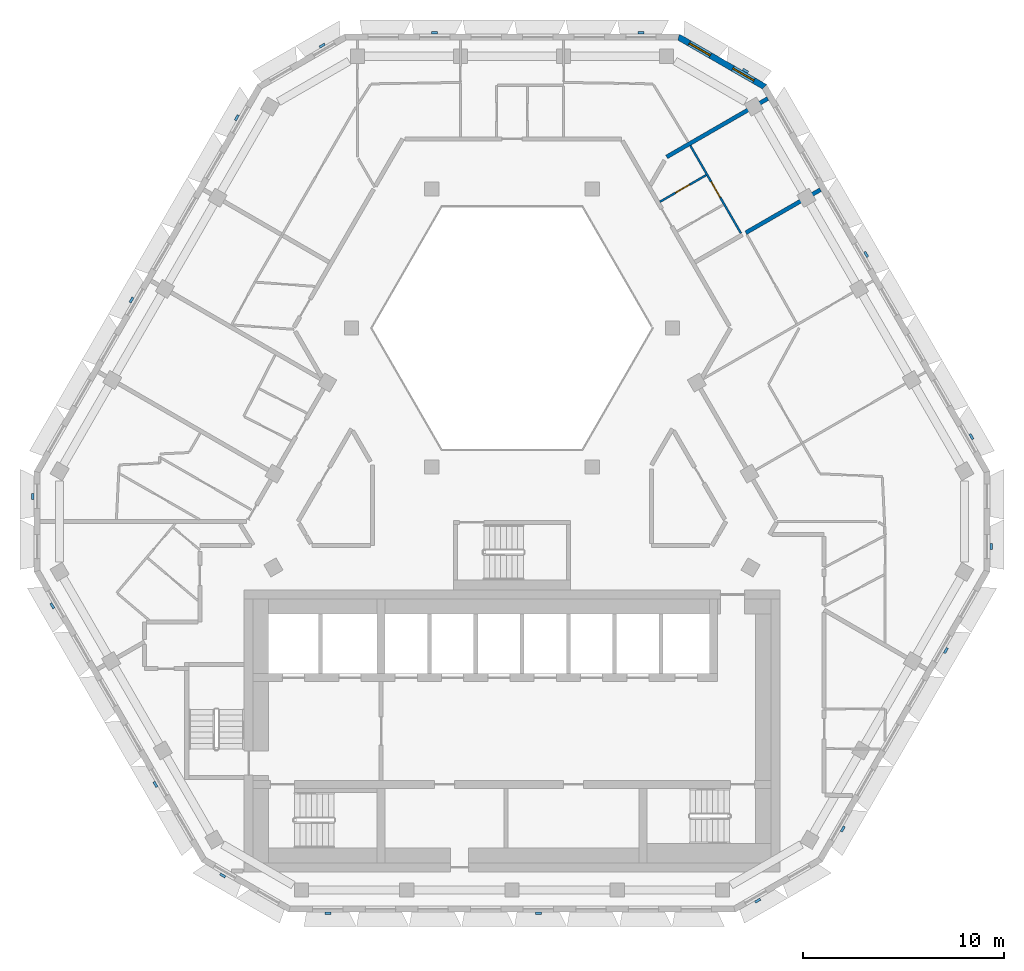
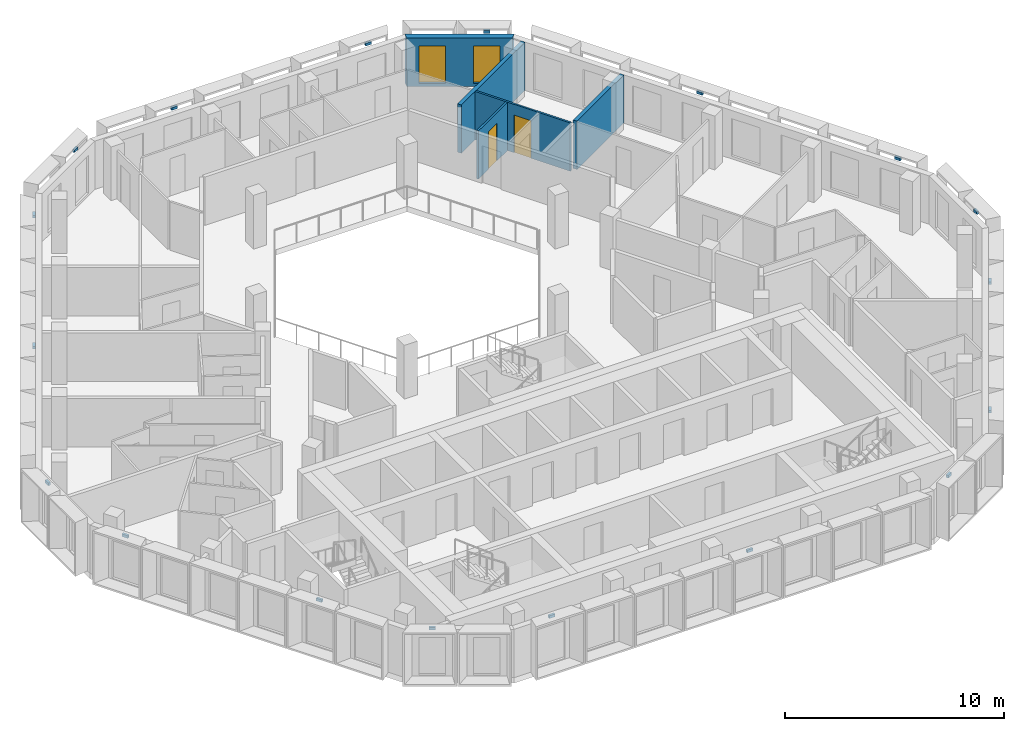
# One storey, part 9 of 16: 18 discrete accessories, 5 walls, 2 doors, 2 windows, 4 openings.
"""IFC4 building model written with IfcOpenShell, lengths in metres."""

from ifc_helpers import new_model, si_unit, direction, frame, frame_2d, origin, place, context, subcontext, project, spatial, polyline, rectangle, outline, extrude, source, transform, mapped, material, layer, layer_set, type_object, type_shapes, element, fill, save


model = new_model("IFC4")

# Units and contexts
model_context = context("Model", 3, precision=1e-05, world=origin(), true_north=direction((0.0, 1.0)))
body_context = subcontext(model_context, "Body", "Model", "MODEL_VIEW")
ifc_project = project(units=[si_unit("LENGTHUNIT", "METRE"), si_unit("AREAUNIT", "SQUARE_METRE"), si_unit("VOLUMEUNIT", "CUBIC_METRE"), si_unit("PLANEANGLEUNIT", "RADIAN"), si_unit("MASSUNIT", "GRAM", prefix="KILO")], contexts=[model_context])

# Site, building, storey
site_placement = place(None, origin())
site = spatial("IfcSite", under=ifc_project, at=site_placement, CompositionType="ELEMENT")
building_placement = place(site_placement, origin())
building = spatial("IfcBuilding", under=site, at=building_placement, Name="Beryl Residences", CompositionType="ELEMENT")
storey_placement = place(building_placement, frame((0.0, 0.0, 214.800048828125)))
storey = spatial("IfcBuildingStorey", under=building, at=storey_placement, Name="L66", CompositionType="ELEMENT", Elevation=214.800048828125)

# Wall, openings, windows
ifc_material_1 = material(Name="Composite metal panel with mineral wool insulation")
ifc_layer_1 = layer(ifc_material_1, 0.300048828125)
ifc_layer_set_1 = layer_set([ifc_layer_1], Name="ES1 pale metal composite panel wall 300 mm")
wall_type_1 = type_object("IfcWallType", Name="ES1 pale metal composite panel wall 300 mm", PredefinedType="SOLIDWALL", material=ifc_layer_set_1)
wall_1_placement = place(storey_placement, frame((12.569091796875, 19.969970703125, 0.0), z_axis=(0.0, 0.0, 1.0), x_axis=(-0.866022959057, 0.500004234368, 0.0)))
wall_1 = element("IfcWall", 1, at=wall_1_placement, inside=storey, type_object=wall_type_1, Name="ES1 external wall L66 NE-N", PredefinedType="SOLIDWALL", context=body_context, shape_type="SweptSolid", body=[
    extrude(outline(polyline([(0.0, -0.14990234375), (5.0, -0.14990234375), (4.919677734375, 0.14990234375), (0.080322265625, 0.14990234375), (0.0, -0.14990234375)])), origin(), (0.0, 0.0, 1.0), 2.699951171875),
])
opening_1_placement = place(wall_1_placement, frame((0.64990234375, 0.0, 0.14990234375)))
opening_1 = element("IfcOpeningElement", 2, at=opening_1_placement, cuts=wall_1, Name="Opening W2", PredefinedType="OPENING", context=body_context, shape_type="SweptSolid", body=[
    extrude(rectangle(XDim=1.199951171875, YDim=2.10009765625, at=frame_2d((0.60009765625, 1.050048828125))), frame((0.0, 0.159912109375, 0.0), z_axis=(0.0, -1.0, 0.0), x_axis=(1.0, 0.0, 0.0)), (0.0, 0.0, 1.0), 0.320068359375),
])
opening_2_placement = place(wall_1_placement, frame((3.14990234375, 0.0, 0.14990234375)))
opening_2 = element("IfcOpeningElement", 3, at=opening_2_placement, cuts=wall_1, Name="Opening W2", PredefinedType="OPENING", context=body_context, shape_type="SweptSolid", body=[
    extrude(rectangle(XDim=1.199951171875, YDim=2.10009765625, at=frame_2d((0.60009765625, 1.050048828125))), frame((0.0, 0.159912109375, 0.0), z_axis=(0.0, -1.0, 0.0), x_axis=(1.0, 0.0, 0.0)), (0.0, 0.0, 1.0), 0.320068359375),
])
ifc_material_2 = material(Name="Aluminium and clear glass", Category="aluminium")
window_type = type_object("IfcWindowType", Name="W2 chamfer window 1200 x 2100 mm", PartitioningType="SINGLE_PANEL", PredefinedType="WINDOW", material=ifc_material_2)
window_1_placement = place(opening_1_placement, origin())
window_1 = element("IfcWindow", 4, at=window_1_placement, inside=storey, type_object=window_type, Name="W2 window L66 NE-N 1", OverallHeight=2.10009765625, OverallWidth=1.199951171875, PartitioningType="SINGLE_PANEL", PredefinedType="WINDOW", context=body_context, shape_type="SweptSolid", body=[
    extrude(rectangle(XDim=1.199951171875, YDim=2.10009765625, at=frame_2d((0.60009765625, 1.050048828125))), frame((0.0, 0.030029296875, 0.0), z_axis=(0.0, -1.0, 0.0), x_axis=(1.0, 0.0, 0.0)), (0.0, 0.0, 1.0), 0.06005859375),
])
fill(opening_1, window_1)
window_2_placement = place(opening_2_placement, origin())
window_2 = element("IfcWindow", 5, at=window_2_placement, inside=storey, type_object=window_type, Name="W2 window L66 NE-N 2", OverallHeight=2.10009765625, OverallWidth=1.199951171875, PartitioningType="SINGLE_PANEL", PredefinedType="WINDOW", context=body_context, shape_type="SweptSolid", body=[
    extrude(rectangle(XDim=1.199951171875, YDim=2.10009765625, at=frame_2d((0.60009765625, 1.050048828125))), frame((0.0, 0.030029296875, 0.0), z_axis=(0.0, -1.0, 0.0), x_axis=(1.0, 0.0, 0.0)), (0.0, 0.0, 1.0), 0.06005859375),
])
fill(opening_2, window_2)

# Wall, opening, door
ifc_material_3 = material(Name="Gypsum board partition on steel studs", Category="steel")
ifc_layer_2 = layer(ifc_material_3, 0.10009765625)
ifc_layer_set_2 = layer_set([ifc_layer_2], Name="PT1 partition 100 mm gypsum board on steel studs")
wall_type_2 = type_object("IfcWallType", Name="PT1 partition 100 mm gypsum board on steel studs", PredefinedType="PARTITIONING", material=ifc_layer_set_2)
wall_2_placement = place(storey_placement, frame((8.85400390625, 17.06396484375, 0.0), z_axis=(0.0, 0.0, 1.0), x_axis=(0.500042049778, -0.866001124973, 0.0)))
wall_2 = element("IfcWall", 6, at=wall_2_placement, inside=storey, type_object=wall_type_2, Name="Wall PT1 L66 006", PredefinedType="PARTITIONING", context=body_context, shape_type="SweptSolid", body=[
    extrude(rectangle(XDim=5.025390625, YDim=0.10009765625, at=frame_2d((2.5126953125, 0.0))), origin(), (0.0, 0.0, 1.0), 2.699951171875),
])
opening_3_placement = place(wall_2_placement, frame((2.06298828125, 0.0, 0.0)))
opening_3 = element("IfcOpeningElement", 7, at=opening_3_placement, cuts=wall_2, Name="Opening D1841", PredefinedType="OPENING", context=body_context, shape_type="SweptSolid", body=[
    extrude(rectangle(XDim=0.89990234375, YDim=2.10009765625, at=frame_2d((0.449951171875, 1.050048828125))), frame((0.0, 0.06005859375, 0.0), z_axis=(0.0, -1.0, 0.0), x_axis=(1.0, 0.0, 0.0)), (0.0, 0.0, 1.0), 0.1201171875),
])
ifc_material_4 = material(Name="Timber door leaf", Category="wood")
door_type_1 = type_object("IfcDoorType", Name="D2 room door 900 x 2100 mm", OperationType="SINGLE_SWING_LEFT", PredefinedType="DOOR", material=ifc_material_4)
door_1_placement = place(opening_3_placement, origin())
door_1 = element("IfcDoor", 8, at=door_1_placement, inside=storey, type_object=door_type_1, Name="Door D1841 L66 001", OperationType="SINGLE_SWING_LEFT", OverallHeight=2.10009765625, OverallWidth=0.89990234375, PredefinedType="DOOR", context=body_context, shape_type="SweptSolid", body=[
    extrude(rectangle(XDim=0.89990234375, YDim=2.10009765625, at=frame_2d((0.449951171875, 1.050048828125))), frame((0.0, 0.02490234375, 0.0), z_axis=(0.0, -1.0, 0.0), x_axis=(1.0, 0.0, 0.0)), (0.0, 0.0, 1.0), 0.050048828125),
])
fill(opening_3, door_1)

wall_3_placement = place(storey_placement, frame((7.346923828125, 14.27392578125, 0.0), z_axis=(0.0, 0.0, 1.0), x_axis=(0.86601223543, 0.500022807565, 0.0)))
wall_3 = element("IfcWall", 9, at=wall_3_placement, inside=storey, type_object=wall_type_2, Name="Wall PT1 L66 050", PredefinedType="PARTITIONING", context=body_context, shape_type="SweptSolid", body=[
    extrude(rectangle(XDim=2.650390625, YDim=0.10009765625, at=frame_2d((1.3251953125, 0.0))), origin(), (0.0, 0.0, 1.0), 2.699951171875),
])
opening_4_placement = place(wall_3_placement, frame((0.89990234375, 0.0, 0.0)))
opening_4 = element("IfcOpeningElement", 10, at=opening_4_placement, cuts=wall_3, Name="Opening D1839", PredefinedType="OPENING", context=body_context, shape_type="SweptSolid", body=[
    extrude(rectangle(XDim=0.800048828125, YDim=2.10009765625, at=frame_2d((0.39990234375, 1.050048828125))), frame((0.0, 0.06005859375, 0.0), z_axis=(0.0, -1.0, 0.0), x_axis=(1.0, 0.0, 0.0)), (0.0, 0.0, 1.0), 0.1201171875),
])
ifc_material_5 = material(Name="Timber door leaf", Category="wood")
door_type_2 = type_object("IfcDoorType", Name="D3 bathroom door 800 x 2100 mm", OperationType="SINGLE_SWING_LEFT", PredefinedType="DOOR", material=ifc_material_5)
door_2_placement = place(opening_4_placement, origin())
door_2 = element("IfcDoor", 11, at=door_2_placement, inside=storey, type_object=door_type_2, Name="Door D1839 L66 001", OperationType="SINGLE_SWING_LEFT", OverallHeight=2.10009765625, OverallWidth=0.800048828125, PredefinedType="DOOR", context=body_context, shape_type="SweptSolid", body=[
    extrude(rectangle(XDim=0.800048828125, YDim=2.10009765625, at=frame_2d((0.39990234375, 1.050048828125))), frame((0.0, 0.02490234375, 0.0), z_axis=(0.0, -1.0, 0.0), x_axis=(1.0, 0.0, 0.0)), (0.0, 0.0, 1.0), 0.050048828125),
])
fill(opening_4, door_2)

# Walls
ifc_material_6 = material(Name="Acoustic double stud gypsum board wall")
ifc_layer_3 = layer(ifc_material_6, 0.199951171875)
ifc_layer_set_3 = layer_set([ifc_layer_3], Name="PT3 party wall 200 mm acoustic double stud")
wall_type_3 = type_object("IfcWallType", Name="PT3 party wall 200 mm acoustic double stud", PredefinedType="PARTITIONING", material=ifc_layer_set_3)
wall_4_placement = place(storey_placement, frame((11.611083984375, 12.737060546875, 0.0), z_axis=(0.0, 0.0, 1.0), x_axis=(0.866017282483, 0.500014066243, 0.0)))
element("IfcWall", 12, at=wall_4_placement, inside=storey, type_object=wall_type_3, Name="Wall PT3 L66 011", PredefinedType="PARTITIONING", context=body_context, shape_type="SweptSolid", body=[
    extrude(rectangle(XDim=4.27587890625, YDim=0.199951171875, at=frame_2d((2.137939453125, 0.0))), origin(), (0.0, 0.0, 1.0), 2.699951171875),
])
wall_5_placement = place(storey_placement, frame((7.679931640625, 16.5009765625, 0.0), z_axis=(0.0, 0.0, 1.0), x_axis=(0.86602149507, 0.500006770031, 0.0)))
element("IfcWall", 13, at=wall_5_placement, inside=storey, type_object=wall_type_3, Name="Wall PT3 L66 012", PredefinedType="PARTITIONING", context=body_context, shape_type="SweptSolid", body=[
    extrude(rectangle(XDim=5.7978515625, YDim=0.199951171875, at=frame_2d((2.89892578125, 0.0))), origin(), (0.0, 0.0, 1.0), 2.699951171875),
])

# Discrete accessories
ifc_material_7 = material(Name="Steel S355", Category="steel")
discrete_accessory_type = type_object("IfcDiscreteAccessoryType", Name="BR1 frame bracket 300 x 120 x 150 mm", PredefinedType="BRACKET", material=ifc_material_7)
shared_shape = source(origin(), body_context, "Body", "SweptSolid", [
    extrude(outline(polyline([(-0.14990234375, 0.0), (0.14990234375, 0.0), (0.14990234375, 0.1201171875), (-0.14990234375, 0.1201171875), (-0.14990234375, 0.0)])), origin(), (0.0, 0.0, 1.0), 0.14990234375),
])
type_shapes(discrete_accessory_type, [shared_shape])
for number, where, z_axis, x_axis, name in (
    (14, (6.39892578125, 22.60009765625, 2.75), (0.0, 0.0, 1.0), (1.0, 0.0, 0.0), "BR1 bracket L66 N 1"),
    (15, (-3.839111328125, 22.60009765625, 2.75), (0.0, 0.0, 1.0), (1.0, 0.0, 0.0), "BR1 bracket L66 N 5"),
    (16, (-9.39599609375, 21.97509765625, 2.75), (0.0, 0.0, 1.0), (0.866025403784, 0.5, 0.0), "BR1 bracket L66 N-NW 1"),
    (17, (-13.614013671875, 18.4189453125, 2.75), (0.0, 0.0, 1.0), (0.5, 0.866025403784, 0.0), "BR1 bracket L66 NW 1"),
    (18, (-18.839111328125, 9.368896484375, 2.75), (0.0, 0.0, 1.0), (0.5, 0.866025403784, 0.0), "BR1 bracket L66 NW 5"),
    (19, (-23.72900390625, -0.35009765625, 2.75), (0.0, 0.0, 1.0), (0.0, 1.0, 0.0), "BR1 bracket L66 NW-SW 1"),
    (20, (-22.77099609375, -5.758056640625, 2.75), (0.0, 0.0, 1.0), (-0.5, 0.866025403784, 0.0), "BR1 bracket L66 SW 1"),
    (21, (-17.653076171875, -14.6240234375, 2.75), (0.0, 0.0, 1.0), (-0.5, 0.866025403784, 0.0), "BR1 bracket L66 SW 5"),
    (22, (-14.33203125, -19.125, 2.75), (0.0, 0.0, 1.0), (-0.866025403784, 0.5, 0.0), "BR1 bracket L66 SW-S 1"),
    (23, (-9.14404296875, -21.0, 2.75), (0.0, 0.0, 1.0), (-1.0, 0.0, 0.0), "BR1 bracket L66 S 1"),
    (24, (1.305908203125, -21.0, 2.75), (0.0, 0.0, 1.0), (-1.0, 0.0, 0.0), "BR1 bracket L66 S 5"),
    (25, (12.16796875, -20.375, 2.75), (0.0, 0.0, 1.0), (-0.866025403784, -0.5, 0.0), "BR1 bracket L66 S-SE 1"),
    (26, (16.373046875, -16.842041015625, 2.75), (0.0, 0.0, 1.0), (-0.5, -0.866025403784, 0.0), "BR1 bracket L66 SE 1"),
    (27, (21.490966796875, -7.97607421875, 2.75), (0.0, 0.0, 1.0), (-0.5, -0.866025403784, 0.0), "BR1 bracket L66 SE 5"),
    (28, (23.72900390625, -2.85009765625, 2.75), (0.0, 0.0, 1.0), (0.0, -1.0, 0.0), "BR1 bracket L66 SE-NE 1"),
    (29, (22.758056640625, 2.5810546875, 2.75), (0.0, 0.0, 1.0), (0.5, -0.866025403784, 0.0), "BR1 bracket L66 NE 1"),
    (30, (17.532958984375, 11.631103515625, 2.75), (0.0, 0.0, 1.0), (0.5, -0.866025403784, 0.0), "BR1 bracket L66 NE 5"),
    (31, (11.56103515625, 20.72509765625, 2.75), (0.0, 0.0, 1.0), (0.866025403784, -0.5, 0.0), "BR1 bracket L66 NE-N 1"),
):
    element("IfcDiscreteAccessory", number, at=place(storey_placement, frame(where, z_axis=z_axis, x_axis=x_axis)), inside=storey, type_object=discrete_accessory_type, Name=name, PredefinedType="BRACKET", context=body_context, shape_type="MappedRepresentation", body=[
        mapped(shared_shape, transform((0.0, 0.0, 0.0))),
    ])

save(model, "model.ifc")
